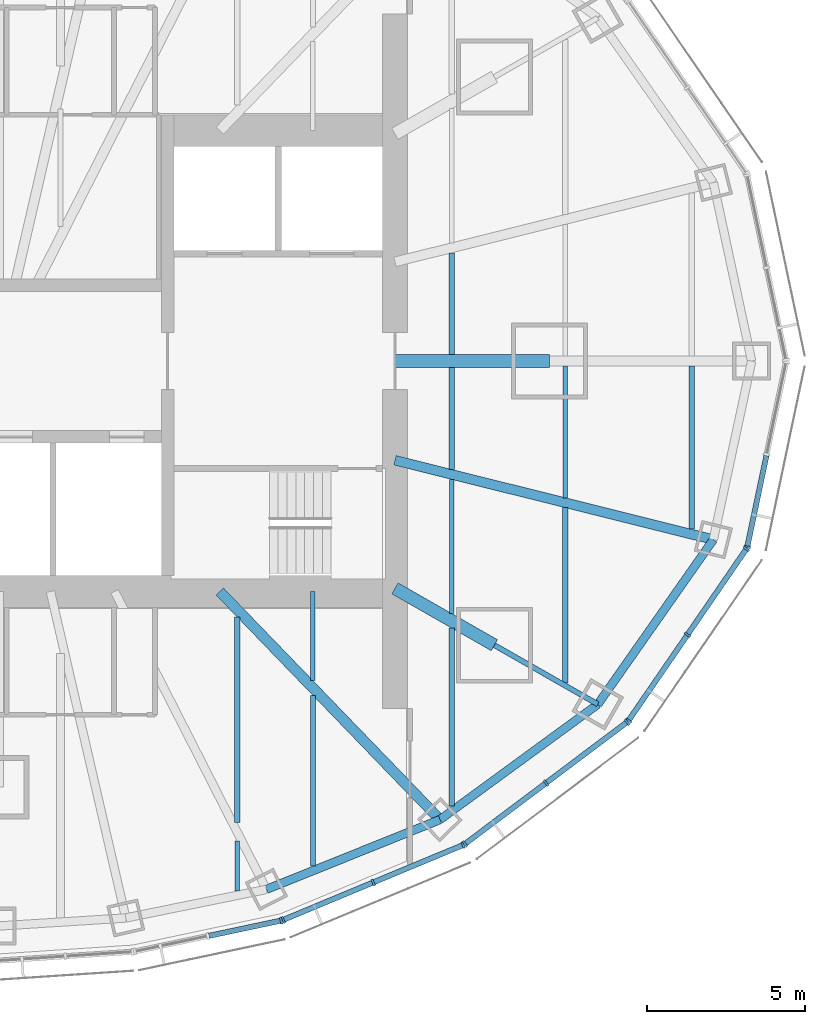
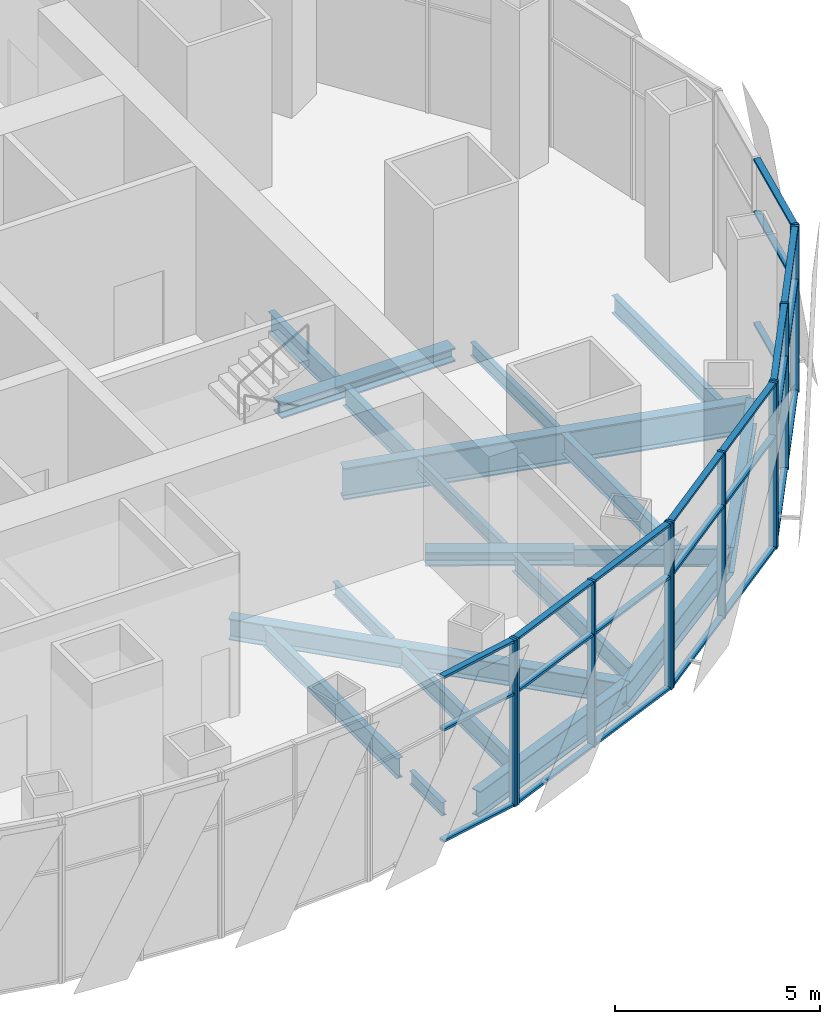
# One storey, part 5 of 17: 35 members, 19 beams, 5 elements without a shape of their own.
"""IFC4 building model written with IfcOpenShell, lengths in metres."""

import ifcopenshell
import ifcopenshell.guid

model = None  # the IFC model being written
_history = None  # IfcOwnerHistory: only IFC2X3 demands one
_inside = {}  # id of a spatial element -> (the spatial element, [elements in it])
_under = {}  # id of a project, library or spatial element -> (it, [spatial elements below it])
_declared = {}  # id of a project -> (the project, [libraries it declares])
_typed = {}  # id of a type object -> (the type object, [elements of that type])
_made_of = {}  # id of a material, layer set ... -> (it, [elements and type objects made of it])


def new_model(schema):
    """Start an empty IFC model of exactly this schema.

    Asked for "IFC4X3", IfcOpenShell would pick the latest addendum, in which some entities
    have other attributes; the version numbers below select the first issue.
    IFC2X3 requires an IfcOwnerHistory on every rooted entity: one is made here for all.
    """
    global model, _history
    if schema == "IFC4X3":
        model = ifcopenshell.file(schema_version=(4, 3, 0, 0))
    else:
        model = ifcopenshell.file(schema=schema)
    _inside.clear()
    _under.clear()
    _declared.clear()
    _typed.clear()
    _made_of.clear()
    _history = None
    if model.schema == "IFC2X3":
        org = make("IfcOrganization", Name="unknown")
        user = make(
            "IfcPersonAndOrganization",
            ThePerson=make("IfcPerson", FamilyName="unknown"),
            TheOrganization=org,
        )
        app = make(
            "IfcApplication",
            ApplicationDeveloper=org,
            Version="unknown",
            ApplicationFullName="unknown",
            ApplicationIdentifier="unknown",
        )
        _history = make(
            "IfcOwnerHistory",
            OwningUser=user,
            OwningApplication=app,
            ChangeAction="ADDED",
            CreationDate=0,
        )
    return model


def make(cls, **values):
    """One entity of the class cls with the attributes given. An attribute that is None is left unset."""
    return model.create_entity(
        cls, **{name: value for name, value in values.items() if value is not None}
    )


def rooted(cls, **values):
    """An entity with a GlobalId (a new one), such as an element, a storey or a relation."""
    return make(cls, GlobalId=ifcopenshell.guid.new(), OwnerHistory=_history, **values)


def si_unit(unit_type, name, prefix=None):
    """IfcSIUnit, for example si_unit("LENGTHUNIT", "METRE", prefix="MILLI")."""
    return make("IfcSIUnit", UnitType=unit_type, Prefix=prefix, Name=name)


def assignment(units):
    """IfcUnitAssignment: the units of a project."""
    return None if units is None else make("IfcUnitAssignment", Units=units)


def point(xyz):
    """IfcCartesianPoint."""
    return None if xyz is None else make("IfcCartesianPoint", Coordinates=xyz)


def direction(xyz):
    """IfcDirection."""
    return None if xyz is None else make("IfcDirection", DirectionRatios=xyz)


def frame(location, z_axis=None, x_axis=None):
    """IfcAxis2Placement3D, a coordinate frame: its origin and axes. An axis left out is left unset."""
    return make(
        "IfcAxis2Placement3D",
        Location=point(location),
        Axis=direction(z_axis),
        RefDirection=direction(x_axis),
    )


def frame_2d(location, x_axis=None):
    """IfcAxis2Placement2D, a coordinate frame in the plane: its origin and x axis."""
    return make(
        "IfcAxis2Placement2D", Location=point(location), RefDirection=direction(x_axis)
    )


def origin():
    """The frame at (0, 0, 0) with its axes left unset."""
    return frame((0.0, 0.0, 0.0))


def origin_2d():
    """The frame at (0, 0) in the plane with its x axis left unset."""
    return frame_2d((0.0, 0.0))


def place(relative_to, where):
    """IfcLocalPlacement: puts the frame where relative to a parent placement (None: the world)."""
    return make(
        "IfcLocalPlacement", PlacementRelTo=relative_to, RelativePlacement=where
    )


def context(
    kind, dimensions, precision=None, world=None, true_north=None, identifier=None
):
    """IfcGeometricRepresentationContext, for example the 3D "Model" context."""
    return make(
        "IfcGeometricRepresentationContext",
        ContextIdentifier=identifier,
        ContextType=kind,
        CoordinateSpaceDimension=dimensions,
        Precision=precision,
        WorldCoordinateSystem=world,
        TrueNorth=true_north,
    )


def subcontext(parent, identifier, kind, view, scale=None):
    """IfcGeometricRepresentationSubContext, for example "Body" below "Model"."""
    return make(
        "IfcGeometricRepresentationSubContext",
        ContextIdentifier=identifier,
        ContextType=kind,
        ParentContext=parent,
        TargetScale=scale,
        TargetView=view,
    )


def project(units=None, contexts=None):
    """IfcProject with its units and contexts."""
    return rooted(
        "IfcProject",
        Name="project",
        RepresentationContexts=contexts,
        UnitsInContext=assignment(units),
    )


def spatial(cls, under=None, at=None, **own):
    """A site, building, storey or space (cls), placed at a placement, below another one or the project."""
    s = rooted(cls, ObjectPlacement=at, **own)
    if under is not None:
        _under.setdefault(under.id(), (under, []))[1].append(s)
    return s


def profile(cls, at=None, kind="AREA", **sizes):
    """A parametric profile (cls). Its sizes go by their IFC names, for example OverallWidth=200.0."""
    return make(cls, ProfileType=kind, Position=at, **sizes)


def rectangle(**sizes):
    """IfcRectangleProfileDef."""
    return profile("IfcRectangleProfileDef", **sizes)


def i_section(**sizes):
    """IfcIShapeProfileDef."""
    return profile("IfcIShapeProfileDef", **sizes)


def extrude(swept, where, along, depth):
    """IfcExtrudedAreaSolid: the profile swept, set in the frame where, extruded along a direction by depth."""
    return make(
        "IfcExtrudedAreaSolid",
        SweptArea=swept,
        Position=where,
        ExtrudedDirection=direction(along),
        Depth=depth,
    )


def shape(context_of_items, identifier, shape_type, items):
    """IfcShapeRepresentation: the items that make up one representation, for example the "Body"."""
    return make(
        "IfcShapeRepresentation",
        ContextOfItems=context_of_items,
        RepresentationIdentifier=identifier,
        RepresentationType=shape_type,
        Items=items,
    )


def material(Name=None, Category=None):
    """IfcMaterial."""
    return make("IfcMaterial", Name=Name, Category=Category)


def material_profile(
    of_material, cross_section, Name=None, Category=None, Priority=None
):
    """IfcMaterialProfile: a cross section and its material."""
    return make(
        "IfcMaterialProfile",
        Name=Name,
        Material=of_material,
        Profile=cross_section,
        Priority=Priority,
        Category=Category,
    )


def profile_set(profiles, Name=None, composite=None):
    """IfcMaterialProfileSet."""
    return make(
        "IfcMaterialProfileSet",
        Name=Name,
        MaterialProfiles=profiles,
        CompositeProfile=composite,
    )


def made_of(thing, what):
    """Note that an element or type object is made of a material, layer set ...; save() writes the relation."""
    if what is not None:
        _made_of.setdefault(what.id(), (what, []))[1].append(thing)
    return thing


def type_object(cls, material=None, **own):
    """A type object (cls), such as IfcWallType, which elements share."""
    return made_of(rooted(cls, **own), material)


def element(
    cls,
    number,
    at=None,
    inside=None,
    cuts=None,
    type_object=None,
    material=None,
    context=None,
    identifier="Body",
    shape_type=None,
    held_by="IfcProductDefinitionShape",
    body=None,
    shapes=None,
    **own,
):
    """One element of the class cls, such as IfcWall. Its Tag is "e" and its number.

    at: its placement. inside: the storey or other place that contains it. cuts: it is an
    opening in that element (IfcRelVoidsElement). A single representation is given by context,
    identifier, shape_type and body (its items); several are given by shapes. held_by: the class
    of the entity that holds the representations. save() writes the other relations.
    """
    e = rooted(cls, Tag="e%d" % number, ObjectPlacement=at, **own)
    if body is not None:
        shapes = [shape(context, identifier, shape_type, body)]
    if shapes is not None:
        e.Representation = make(held_by, Representations=shapes)
    if inside is not None:
        _inside.setdefault(inside.id(), (inside, []))[1].append(e)
    if cuts is not None:
        rooted(
            "IfcRelVoidsElement", RelatingBuildingElement=cuts, RelatedOpeningElement=e
        )
    if type_object is not None:
        _typed.setdefault(type_object.id(), (type_object, []))[1].append(e)
    return made_of(e, material)


def aggregate(whole, parts):
    """IfcRelAggregates: a whole, such as a stair, and the parts it consists of."""
    return rooted("IfcRelAggregates", RelatingObject=whole, RelatedObjects=parts)


def save(model, path):
    """Write the relations noted so far, then the file.

    IfcRelAggregates (storeys below a building ...), IfcRelContainedInSpatialStructure (elements
    in a storey), IfcRelDefinesByType, IfcRelAssociatesMaterial and IfcRelDeclares: one each for
    every whole, place, type object, material and project.
    """
    for whole, parts in _under.values():
        aggregate(whole, parts)
    for where, things in _inside.values():
        rooted(
            "IfcRelContainedInSpatialStructure",
            RelatedElements=things,
            RelatingStructure=where,
        )
    for kind, things in _typed.values():
        rooted("IfcRelDefinesByType", RelatedObjects=things, RelatingType=kind)
    for what, things in _made_of.values():
        rooted("IfcRelAssociatesMaterial", RelatedObjects=things, RelatingMaterial=what)
    for by, libraries in _declared.values():
        rooted("IfcRelDeclares", RelatingContext=by, RelatedDefinitions=libraries)
    model.write(path)


model = new_model("IFC4")

# Units and contexts
model_context = context("Model", 3, precision=1e-05, world=origin(), true_north=direction((0.0, 1.0)))
body_context = subcontext(model_context, "Body", "Model", "MODEL_VIEW")
ifc_project = project(units=[si_unit("LENGTHUNIT", "METRE"), si_unit("AREAUNIT", "SQUARE_METRE"), si_unit("VOLUMEUNIT", "CUBIC_METRE"), si_unit("PLANEANGLEUNIT", "RADIAN"), si_unit("MASSUNIT", "GRAM", prefix="KILO")], contexts=[model_context])

# Site, building, storey
site_placement = place(None, origin())
site = spatial("IfcSite", under=ifc_project, at=site_placement, CompositionType="ELEMENT")
building_placement = place(site_placement, origin())
building = spatial("IfcBuilding", under=site, at=building_placement, Name="Lantaw Convention Tower", CompositionType="ELEMENT")
storey_placement = place(building_placement, frame((0.0, 0.0, 279.39990234375)))
storey = spatial("IfcBuildingStorey", under=building, at=storey_placement, Name="L65", CompositionType="ELEMENT", Elevation=279.39990234375)

# Beams
ifc_material_1 = material(Name="Steel ASTM A992", Category="steel")
ifc_material_profile_1 = material_profile(ifc_material_1, i_section(OverallWidth=0.2666015625, OverallDepth=0.76953125, WebThickness=0.015625, FlangeThickness=0.025390625, FilletRadius=0.0126953125, at=origin_2d()), Name="W30X132")
ifc_profile_set_1 = profile_set([ifc_material_profile_1], Name="Steel ASTM A992")
beam_type_1 = type_object("IfcBeamType", Name="Beam E W30X132", PredefinedType="SPANDREL", material=ifc_profile_set_1)
beam_1_placement = place(storey_placement, frame((8.5283203125, -16.73779296875, -0.53466796875), z_axis=(0.927779110974, 0.373129898615, 0.0), x_axis=(-0.373129898615, 0.927779110974, 0.0)))
element("IfcBeam", 1, at=beam_1_placement, inside=storey, type_object=beam_type_1, Name="Edge beam 21", PredefinedType="SPANDREL", context=body_context, shape_type="SweptSolid", body=[
    extrude(i_section(OverallWidth=0.2666015625, OverallDepth=0.76953125, WebThickness=0.015625, FlangeThickness=0.025390625, FilletRadius=0.0126953125, at=origin_2d()), origin(), (0.0, 0.0, 1.0), 5.92724609375),
])
beam_2_placement = place(storey_placement, frame((14.027587890625, -14.526123046875, -0.53466796875), z_axis=(0.807371616826, 0.59004328006, 0.0), x_axis=(-0.59004328006, 0.807371616826, 0.0)))
element("IfcBeam", 2, at=beam_2_placement, inside=storey, type_object=beam_type_1, Name="Edge beam 22", PredefinedType="SPANDREL", context=body_context, shape_type="SweptSolid", body=[
    extrude(i_section(OverallWidth=0.2666015625, OverallDepth=0.76953125, WebThickness=0.015625, FlangeThickness=0.025390625, FilletRadius=0.0126953125, at=origin_2d()), origin(), (0.0, 0.0, 1.0), 6.192138671875),
])
beam_3_placement = place(storey_placement, frame((19.02685546875, -10.87255859375, -0.53466796875), z_axis=(0.574400527612, 0.81857439117, 0.0), x_axis=(-0.81857439117, 0.574400527612, 0.0)))
element("IfcBeam", 3, at=beam_3_placement, inside=storey, type_object=beam_type_1, Name="Edge beam 23", PredefinedType="SPANDREL", context=body_context, shape_type="SweptSolid", body=[
    extrude(i_section(OverallWidth=0.2666015625, OverallDepth=0.76953125, WebThickness=0.015625, FlangeThickness=0.025390625, FilletRadius=0.0126953125, at=origin_2d()), origin(), (0.0, 0.0, 1.0), 6.3720703125),
])
ifc_material_profile_2 = material_profile(ifc_material_1, i_section(OverallWidth=0.1650390625, OverallDepth=0.52587890625, WebThickness=0.0087890625, FlangeThickness=0.011474609375, FilletRadius=0.0126953125, at=origin_2d()), Name="W21X44")
ifc_profile_set_2 = profile_set([ifc_material_profile_2], Name="Steel ASTM A992")
beam_type_2 = type_object("IfcBeamType", Name="Beam G W21X44", PredefinedType="BEAM", material=ifc_profile_set_2)
beam_4_placement = place(storey_placement, frame((15.75, -9.0, -0.412841796875), z_axis=(0.868235180478, -0.496152870978, 0.0), x_axis=(0.496152870978, 0.868235180478, 0.0)))
element("IfcBeam", 4, at=beam_4_placement, inside=storey, type_object=beam_type_2, Name="Floor girder on ray 23", PredefinedType="BEAM", context=body_context, shape_type="SweptSolid", body=[
    extrude(i_section(OverallWidth=0.1650390625, OverallDepth=0.52587890625, WebThickness=0.0087890625, FlangeThickness=0.011474609375, FilletRadius=0.0126953125, at=origin_2d()), origin(), (0.0, 0.0, 1.0), 3.774169921875),
])
ifc_material_profile_3 = material_profile(ifc_material_1, i_section(OverallWidth=0.32763671875, OverallDepth=0.62744140625, WebThickness=0.0166015625, FlangeThickness=0.027587890625, FilletRadius=0.0126953125, at=origin_2d()), Name="W24X146")
ifc_profile_set_3 = profile_set([ifc_material_profile_3], Name="Steel ASTM A992")
beam_type_3 = type_object("IfcBeamType", Name="Beam G W24X146", PredefinedType="BEAM", material=ifc_profile_set_3)
beam_5_placement = place(storey_placement, frame((7.049560546875, -7.300048828125, -0.463623046875), z_axis=(0.694652631285, -0.71934534255, 0.0), x_axis=(0.71934534255, 0.694652631285, 0.0)))
element("IfcBeam", 5, at=beam_5_placement, inside=storey, type_object=beam_type_3, Name="Floor girder on ray 22", PredefinedType="BEAM", context=body_context, shape_type="SweptSolid", body=[
    extrude(i_section(OverallWidth=0.32763671875, OverallDepth=0.62744140625, WebThickness=0.0166015625, FlangeThickness=0.027587890625, FilletRadius=0.0126953125, at=origin_2d()), origin(), (0.0, 0.0, 1.0), 10.04541015625),
])
ifc_material_profile_4 = material_profile(ifc_material_1, i_section(OverallWidth=0.307373046875, OverallDepth=0.9423828125, WebThickness=0.022216796875, FlangeThickness=0.039794921875, FilletRadius=0.0126953125, at=origin_2d()), Name="W36X232")
ifc_profile_set_4 = profile_set([ifc_material_profile_4], Name="Steel ASTM A992")
beam_type_4 = type_object("IfcBeamType", Name="Beam G W36X232", PredefinedType="BEAM", material=ifc_profile_set_4)
beam_6_placement = place(storey_placement, frame((12.60009765625, -3.1416015625, -0.62109375), z_axis=(0.97029702597, -0.241916682751, 0.0), x_axis=(0.241916682751, 0.97029702597, 0.0)))
element("IfcBeam", 6, at=beam_6_placement, inside=storey, type_object=beam_type_4, Name="Floor girder on ray 24", PredefinedType="BEAM", context=body_context, shape_type="SweptSolid", body=[
    extrude(i_section(OverallWidth=0.307373046875, OverallDepth=0.9423828125, WebThickness=0.022216796875, FlangeThickness=0.039794921875, FilletRadius=0.0126953125, at=origin_2d()), origin(), (0.0, 0.0, 1.0), 10.395751953125),
])
ifc_material_profile_5 = material_profile(ifc_material_1, i_section(OverallWidth=0.40380859375, OverallDepth=0.406494140625, WebThickness=0.027099609375, FlangeThickness=0.043701171875, FilletRadius=0.01513671875, at=origin_2d()), Name="W14X233")
ifc_profile_set_5 = profile_set([ifc_material_profile_5], Name="Steel ASTM A992")
beam_type_5 = type_object("IfcBeamType", Name="Beam GM W14X233", PredefinedType="BEAM", material=ifc_profile_set_5)
beam_7_placement = place(storey_placement, frame((12.60009765625, 0.0, -0.35302734375), z_axis=(1.0, 0.0, 0.0), x_axis=(0.0, 1.0, 0.0)))
element("IfcBeam", 7, at=beam_7_placement, inside=storey, type_object=beam_type_5, Name="Core link beam on ray 1", PredefinedType="BEAM", context=body_context, shape_type="SweptSolid", body=[
    extrude(i_section(OverallWidth=0.40380859375, OverallDepth=0.406494140625, WebThickness=0.027099609375, FlangeThickness=0.043701171875, FilletRadius=0.01513671875, at=origin_2d()), origin(), (0.0, 0.0, 1.0), 4.89990234375),
])
beam_8_placement = place(storey_placement, frame((12.60009765625, -7.199951171875, -0.35302734375), z_axis=(0.868230718294, -0.496160679428, 0.0), x_axis=(0.496160679428, 0.868230718294, 0.0)))
element("IfcBeam", 8, at=beam_8_placement, inside=storey, type_object=beam_type_5, Name="Core link beam on ray 23", PredefinedType="BEAM", context=body_context, shape_type="SweptSolid", body=[
    extrude(i_section(OverallWidth=0.40380859375, OverallDepth=0.406494140625, WebThickness=0.027099609375, FlangeThickness=0.043701171875, FilletRadius=0.01513671875, at=origin_2d()), origin(), (0.0, 0.0, 1.0), 3.6279296875),
])
ifc_material_profile_6 = material_profile(ifc_material_1, i_section(OverallWidth=0.140380859375, OverallDepth=0.40380859375, WebThickness=0.007080078125, FlangeThickness=0.01123046875, FilletRadius=0.01025390625, at=origin_2d()), Name="W16X31")
ifc_profile_set_6 = profile_set([ifc_material_profile_6], Name="Steel ASTM A992")
beam_type_6 = type_object("IfcBeamType", Name="Beam J W16X31", PredefinedType="JOIST", material=ifc_profile_set_6)
beam_9_placement = place(storey_placement, frame((7.60009765625, -16.790283203125, -0.351806640625), z_axis=(0.0, 1.0, 0.0), x_axis=(-1.0, 0.0, 0.0)))
element("IfcBeam", 9, at=beam_9_placement, inside=storey, type_object=beam_type_6, Name="Floor joist", PredefinedType="JOIST", context=body_context, shape_type="SweptSolid", body=[
    extrude(i_section(OverallWidth=0.140380859375, OverallDepth=0.40380859375, WebThickness=0.007080078125, FlangeThickness=0.01123046875, FilletRadius=0.01025390625, at=origin_2d()), origin(), (0.0, 0.0, 1.0), 1.580810546875),
])
beam_10_placement = place(storey_placement, frame((10.0, -10.119384765625, -0.351806640625), z_axis=(0.0, 1.0, 0.0), x_axis=(-1.0, 0.0, 0.0)))
element("IfcBeam", 10, at=beam_10_placement, inside=storey, type_object=beam_type_6, Name="Floor joist", PredefinedType="JOIST", context=body_context, shape_type="SweptSolid", body=[
    extrude(i_section(OverallWidth=0.140380859375, OverallDepth=0.40380859375, WebThickness=0.007080078125, FlangeThickness=0.01123046875, FilletRadius=0.01025390625, at=origin_2d()), origin(), (0.0, 0.0, 1.0), 2.8193359375),
])
beam_11_placement = place(storey_placement, frame((14.39990234375, -7.99609375, -0.351806640625), z_axis=(0.0, 1.0, 0.0), x_axis=(-1.0, 0.0, 0.0)))
element("IfcBeam", 11, at=beam_11_placement, inside=storey, type_object=beam_type_6, Name="Floor joist", PredefinedType="JOIST", context=body_context, shape_type="SweptSolid", body=[
    extrude(i_section(OverallWidth=0.140380859375, OverallDepth=0.40380859375, WebThickness=0.007080078125, FlangeThickness=0.01123046875, FilletRadius=0.01025390625, at=origin_2d()), origin(), (0.0, 0.0, 1.0), 4.247314453125),
])
beam_12_placement = place(storey_placement, frame((18.0, -4.32958984375, -0.351806640625), z_axis=(0.0, 1.0, 0.0), x_axis=(-1.0, 0.0, 0.0)))
element("IfcBeam", 12, at=beam_12_placement, inside=storey, type_object=beam_type_6, Name="Floor joist", PredefinedType="JOIST", context=body_context, shape_type="SweptSolid", body=[
    extrude(i_section(OverallWidth=0.140380859375, OverallDepth=0.40380859375, WebThickness=0.007080078125, FlangeThickness=0.01123046875, FilletRadius=0.01025390625, at=origin_2d()), origin(), (0.0, 0.0, 1.0), 4.1669921875),
])
ifc_material_profile_7 = material_profile(ifc_material_1, i_section(OverallWidth=0.1650390625, OverallDepth=0.52587890625, WebThickness=0.0087890625, FlangeThickness=0.011474609375, FilletRadius=0.0126953125, at=origin_2d()), Name="W21X44")
ifc_profile_set_7 = profile_set([ifc_material_profile_7], Name="Steel ASTM A992")
beam_type_7 = type_object("IfcBeamType", Name="Beam J W21X44", PredefinedType="JOIST", material=ifc_profile_set_7)
beam_13_placement = place(storey_placement, frame((10.0, -16.002197265625, -0.412841796875), z_axis=(0.0, 1.0, 0.0), x_axis=(-1.0, 0.0, 0.0)))
element("IfcBeam", 13, at=beam_13_placement, inside=storey, type_object=beam_type_7, Name="Floor joist", PredefinedType="JOIST", context=body_context, shape_type="SweptSolid", body=[
    extrude(i_section(OverallWidth=0.1650390625, OverallDepth=0.52587890625, WebThickness=0.0087890625, FlangeThickness=0.011474609375, FilletRadius=0.0126953125, at=origin_2d()), origin(), (0.0, 0.0, 1.0), 5.4111328125),
])
beam_14_placement = place(storey_placement, frame((14.39990234375, -14.0888671875, -0.412841796875), z_axis=(0.0, 1.0, 0.0), x_axis=(-1.0, 0.0, 0.0)))
element("IfcBeam", 14, at=beam_14_placement, inside=storey, type_object=beam_type_7, Name="Floor joist", PredefinedType="JOIST", context=body_context, shape_type="SweptSolid", body=[
    extrude(i_section(OverallWidth=0.1650390625, OverallDepth=0.52587890625, WebThickness=0.0087890625, FlangeThickness=0.011474609375, FilletRadius=0.0126953125, at=origin_2d()), origin(), (0.0, 0.0, 1.0), 5.627685546875),
])
beam_15_placement = place(storey_placement, frame((22.0, -5.326904296875, -0.412841796875), z_axis=(0.0, 1.0, 0.0), x_axis=(-1.0, 0.0, 0.0)))
element("IfcBeam", 15, at=beam_15_placement, inside=storey, type_object=beam_type_7, Name="Floor joist", PredefinedType="JOIST", context=body_context, shape_type="SweptSolid", body=[
    extrude(i_section(OverallWidth=0.1650390625, OverallDepth=0.52587890625, WebThickness=0.0087890625, FlangeThickness=0.011474609375, FilletRadius=0.0126953125, at=origin_2d()), origin(), (0.0, 0.0, 1.0), 5.164306640625),
])
ifc_material_profile_8 = material_profile(ifc_material_1, i_section(OverallWidth=0.177978515625, OverallDepth=0.599365234375, WebThickness=0.010009765625, FlangeThickness=0.012939453125, FilletRadius=0.012939453125, at=origin_2d()), Name="W24X55")
ifc_profile_set_8 = profile_set([ifc_material_profile_8], Name="Steel ASTM A992")
beam_type_8 = type_object("IfcBeamType", Name="Beam J W24X55", PredefinedType="JOIST", material=ifc_profile_set_8)
beam_16_placement = place(storey_placement, frame((7.60009765625, -14.6220703125, -0.44970703125), z_axis=(0.0, 1.0, 0.0), x_axis=(-1.0, 0.0, 0.0)))
element("IfcBeam", 16, at=beam_16_placement, inside=storey, type_object=beam_type_8, Name="Floor joist", PredefinedType="JOIST", context=body_context, shape_type="SweptSolid", body=[
    extrude(i_section(OverallWidth=0.177978515625, OverallDepth=0.599365234375, WebThickness=0.010009765625, FlangeThickness=0.012939453125, FilletRadius=0.012939453125, at=origin_2d()), origin(), (0.0, 0.0, 1.0), 6.51611328125),
])
for number, where, z_axis, x_axis, name in (
    (17, (14.39990234375, -3.431884765625, -0.44970703125), (0.0, 1.0, 0.0), (-1.0, 0.0, 0.0), "Floor joist"),
    (18, (14.39990234375, 0.201904296875, -0.44970703125), (0.0, 1.0, 0.0), (-1.0, 0.0, 0.0), "Floor joist"),
):
    element("IfcBeam", number, at=place(storey_placement, frame(where, z_axis=z_axis, x_axis=x_axis)), inside=storey, type_object=beam_type_8, Name=name, PredefinedType="JOIST", context=body_context, shape_type="SweptSolid", body=[
        extrude(i_section(OverallWidth=0.177978515625, OverallDepth=0.599365234375, WebThickness=0.010009765625, FlangeThickness=0.012939453125, FilletRadius=0.012939453125, at=origin_2d()), origin(), (0.0, 0.0, 1.0), 3.22998046875),
    ])
beam_17_placement = place(storey_placement, frame((18.0, -10.190673828125, -0.44970703125), z_axis=(0.0, 1.0, 0.0), x_axis=(-1.0, 0.0, 0.0)))
element("IfcBeam", 19, at=beam_17_placement, inside=storey, type_object=beam_type_8, Name="Floor joist", PredefinedType="JOIST", context=body_context, shape_type="SweptSolid", body=[
    extrude(i_section(OverallWidth=0.177978515625, OverallDepth=0.599365234375, WebThickness=0.010009765625, FlangeThickness=0.012939453125, FilletRadius=0.012939453125, at=origin_2d()), origin(), (0.0, 0.0, 1.0), 5.54443359375),
])

# Curtain wall, member
ifc_material_2 = material(Name="Aluminium framed curtain wall", Category="aluminium")
curtain_wall_type = type_object("IfcCurtainWallType", Name="Executive floors curtain wall, pale aluminium", PredefinedType="USERDEFINED", material=ifc_material_2)
curtain_wall_1_placement = place(storey_placement, origin())
curtain_wall_1 = element("IfcCurtainWall", 20, at=curtain_wall_1_placement, inside=storey, type_object=curtain_wall_type, Name="Executive floors curtain wall, pale aluminium L65", ObjectType="UNITISED CURTAIN WALL", PredefinedType="USERDEFINED")
ifc_material_3 = material(Name="Aluminium 6063-T6", Category="aluminium")
ifc_material_profile_9 = material_profile(ifc_material_3, rectangle(XDim=0.219970703125, YDim=0.070068359375, at=origin_2d()), Name="CW-T mullion 70x220")
ifc_profile_set_9 = profile_set([ifc_material_profile_9], Name="Aluminium 6063-T6")
member_type_1 = type_object("IfcMemberType", Name="CW-T mullion 70x220", PredefinedType="MULLION", material=ifc_profile_set_9)
member_1_placement = place(storey_placement, frame((8.993408203125, -17.72509765625, -0.14990234375), z_axis=(0.0, 0.0, 1.0), x_axis=(-0.207039911975, 0.978332497083, 0.0)))
member_1 = element("IfcMember", 21, at=member_1_placement, type_object=member_type_1, Name="CW-T mullion 3", PredefinedType="MULLION", context=body_context, shape_type="SweptSolid", body=[
    extrude(rectangle(XDim=0.219970703125, YDim=0.070068359375, at=origin_2d()), origin(), (0.0, 0.0, 1.0), 4.949951171875),
])

# Curtain wall, members
curtain_wall_2_placement = place(storey_placement, origin())
curtain_wall_2 = element("IfcCurtainWall", 22, at=curtain_wall_2_placement, inside=storey, type_object=curtain_wall_type, Name="Executive floors curtain wall, pale aluminium L65", ObjectType="UNITISED CURTAIN WALL", PredefinedType="USERDEFINED")
member_2_placement = place(storey_placement, frame((9.06005859375, -17.70458984375, -0.14990234375), z_axis=(0.0, 0.0, 1.0), x_axis=(-0.384459697924, 0.923141777124, 0.0)))
member_2 = element("IfcMember", 23, at=member_2_placement, type_object=member_type_1, Name="CW-T mullion 1", PredefinedType="MULLION", context=body_context, shape_type="SweptSolid", body=[
    extrude(rectangle(XDim=0.219970703125, YDim=0.070068359375, at=origin_2d()), origin(), (0.0, 0.0, 1.0), 4.949951171875),
])
member_3_placement = place(storey_placement, frame((11.90966796875, -16.517578125, -0.14990234375), z_axis=(0.0, 0.0, 1.0), x_axis=(-0.384459697924, 0.923141777124, 0.0)))
member_3 = element("IfcMember", 24, at=member_3_placement, type_object=member_type_1, Name="CW-T mullion 2", PredefinedType="MULLION", context=body_context, shape_type="SweptSolid", body=[
    extrude(rectangle(XDim=0.219970703125, YDim=0.070068359375, at=origin_2d()), origin(), (0.0, 0.0, 1.0), 4.949951171875),
])
member_4_placement = place(storey_placement, frame((14.759521484375, -15.330810546875, -0.14990234375), z_axis=(0.0, 0.0, 1.0), x_axis=(-0.384459697924, 0.923141777124, 0.0)))
member_4 = element("IfcMember", 25, at=member_4_placement, type_object=member_type_1, Name="CW-T mullion 3", PredefinedType="MULLION", context=body_context, shape_type="SweptSolid", body=[
    extrude(rectangle(XDim=0.219970703125, YDim=0.070068359375, at=origin_2d()), origin(), (0.0, 0.0, 1.0), 4.949951171875),
])

curtain_wall_3_placement = place(storey_placement, origin())
curtain_wall_3 = element("IfcCurtainWall", 26, at=curtain_wall_3_placement, inside=storey, type_object=curtain_wall_type, Name="Executive floors curtain wall, pale aluminium L65", ObjectType="UNITISED CURTAIN WALL", PredefinedType="USERDEFINED")
member_5_placement = place(storey_placement, frame((14.81982421875, -15.29638671875, -0.14990234375), z_axis=(0.0, 0.0, 1.0), x_axis=(-0.600642756762, 0.799517528732, 0.0)))
member_5 = element("IfcMember", 27, at=member_5_placement, type_object=member_type_1, Name="CW-T mullion 1", PredefinedType="MULLION", context=body_context, shape_type="SweptSolid", body=[
    extrude(rectangle(XDim=0.219970703125, YDim=0.070068359375, at=origin_2d()), origin(), (0.0, 0.0, 1.0), 4.949951171875),
])
member_6_placement = place(storey_placement, frame((17.386962890625, -13.367919921875, -0.14990234375), z_axis=(0.0, 0.0, 1.0), x_axis=(-0.600642756762, 0.799517528732, 0.0)))
member_6 = element("IfcMember", 28, at=member_6_placement, type_object=member_type_1, Name="CW-T mullion 2", PredefinedType="MULLION", context=body_context, shape_type="SweptSolid", body=[
    extrude(rectangle(XDim=0.219970703125, YDim=0.070068359375, at=origin_2d()), origin(), (0.0, 0.0, 1.0), 4.949951171875),
])
member_7_placement = place(storey_placement, frame((19.953857421875, -11.439208984375, -0.14990234375), z_axis=(0.0, 0.0, 1.0), x_axis=(-0.600642756762, 0.799517528732, 0.0)))
member_7 = element("IfcMember", 29, at=member_7_placement, type_object=member_type_1, Name="CW-T mullion 3", PredefinedType="MULLION", context=body_context, shape_type="SweptSolid", body=[
    extrude(rectangle(XDim=0.219970703125, YDim=0.070068359375, at=origin_2d()), origin(), (0.0, 0.0, 1.0), 4.949951171875),
])

curtain_wall_4_placement = place(storey_placement, origin())
curtain_wall_4 = element("IfcCurtainWall", 30, at=curtain_wall_4_placement, inside=storey, type_object=curtain_wall_type, Name="Executive floors curtain wall, pale aluminium L65", ObjectType="UNITISED CURTAIN WALL", PredefinedType="USERDEFINED")
member_8_placement = place(storey_placement, frame((20.001708984375, -11.389404296875, -0.14990234375), z_axis=(0.0, 0.0, 1.0), x_axis=(-0.824449977189, 0.565934832921, 0.0)))
member_8 = element("IfcMember", 31, at=member_8_placement, type_object=member_type_1, Name="CW-T mullion 1", PredefinedType="MULLION", context=body_context, shape_type="SweptSolid", body=[
    extrude(rectangle(XDim=0.219970703125, YDim=0.070068359375, at=origin_2d()), origin(), (0.0, 0.0, 1.0), 4.949951171875),
])
member_9_placement = place(storey_placement, frame((21.8681640625, -8.67041015625, -0.14990234375), z_axis=(0.0, 0.0, 1.0), x_axis=(-0.824449977189, 0.565934832921, 0.0)))
member_9 = element("IfcMember", 32, at=member_9_placement, type_object=member_type_1, Name="CW-T mullion 2", PredefinedType="MULLION", context=body_context, shape_type="SweptSolid", body=[
    extrude(rectangle(XDim=0.219970703125, YDim=0.070068359375, at=origin_2d()), origin(), (0.0, 0.0, 1.0), 4.949951171875),
])
member_10_placement = place(storey_placement, frame((23.734619140625, -5.951416015625, -0.14990234375), z_axis=(0.0, 0.0, 1.0), x_axis=(-0.824449977189, 0.565934832921, 0.0)))
member_10 = element("IfcMember", 33, at=member_10_placement, type_object=member_type_1, Name="CW-T mullion 3", PredefinedType="MULLION", context=body_context, shape_type="SweptSolid", body=[
    extrude(rectangle(XDim=0.219970703125, YDim=0.070068359375, at=origin_2d()), origin(), (0.0, 0.0, 1.0), 4.949951171875),
])

# Curtain wall, member
curtain_wall_5_placement = place(storey_placement, origin())
curtain_wall_5 = element("IfcCurtainWall", 34, at=curtain_wall_5_placement, inside=storey, type_object=curtain_wall_type, Name="Executive floors curtain wall, pale aluminium L65", ObjectType="UNITISED CURTAIN WALL", PredefinedType="USERDEFINED")
member_11_placement = place(storey_placement, frame((23.761474609375, -5.888427734375, -0.14990234375), z_axis=(0.0, 0.0, 1.0), x_axis=(-0.978591117263, 0.205814054946, 0.0)))
member_11 = element("IfcMember", 35, at=member_11_placement, type_object=member_type_1, Name="CW-T mullion 1", PredefinedType="MULLION", context=body_context, shape_type="SweptSolid", body=[
    extrude(rectangle(XDim=0.219970703125, YDim=0.070068359375, at=origin_2d()), origin(), (0.0, 0.0, 1.0), 4.949951171875),
])

# Member
ifc_material_profile_10 = material_profile(ifc_material_3, rectangle(XDim=0.169921875, YDim=0.070068359375, at=origin_2d()), Name="CW-T transom 70x170")
ifc_profile_set_10 = profile_set([ifc_material_profile_10], Name="Aluminium 6063-T6")
member_type_2 = type_object("IfcMemberType", Name="CW-T transom 70x170", PredefinedType="USERDEFINED", material=ifc_profile_set_10)
member_12_placement = place(storey_placement, frame((6.708251953125, -18.208740234375, -0.114990234375), z_axis=(0.978336479598, 0.207021092375, 0.0), x_axis=(-0.207021092375, 0.978336479598, 0.0)))
member_12 = element("IfcMember", 36, at=member_12_placement, type_object=member_type_2, Name="CW-T transom 2.1", ObjectType="TRANSOM", PredefinedType="USERDEFINED", context=body_context, shape_type="SweptSolid", body=[
    extrude(rectangle(XDim=0.169921875, YDim=0.070068359375, at=origin_2d()), origin(), (0.0, 0.0, 1.0), 2.30078125),
])

member_13_placement = place(storey_placement, frame((6.708251953125, -18.208740234375, 3.2001953125), z_axis=(0.978336479598, 0.207021092375, 0.0), x_axis=(-0.207021092375, 0.978336479598, 0.0)))
member_13 = element("IfcMember", 37, at=member_13_placement, type_object=member_type_2, Name="CW-T transom 2.2", ObjectType="TRANSOM", PredefinedType="USERDEFINED", context=body_context, shape_type="SweptSolid", body=[
    extrude(rectangle(XDim=0.169921875, YDim=0.070068359375, at=origin_2d()), origin(), (0.0, 0.0, 1.0), 2.30078125),
])

member_14_placement = place(storey_placement, frame((6.708251953125, -18.208740234375, 4.76513671875), z_axis=(0.978336479598, 0.207021092375, 0.0), x_axis=(-0.207021092375, 0.978336479598, 0.0)))
member_14 = element("IfcMember", 38, at=member_14_placement, type_object=member_type_2, Name="CW-T transom 2.3", ObjectType="TRANSOM", PredefinedType="USERDEFINED", context=body_context, shape_type="SweptSolid", body=[
    extrude(rectangle(XDim=0.169921875, YDim=0.070068359375, at=origin_2d()), origin(), (0.0, 0.0, 1.0), 2.30078125),
])

aggregate(curtain_wall_1, [member_1, member_12, member_13, member_14])

member_15_placement = place(storey_placement, frame((9.09228515625, -17.69091796875, -0.114990234375), z_axis=(0.923143943999, 0.384454494911, 0.0), x_axis=(-0.384454494911, 0.923143943999, 0.0)))
member_15 = element("IfcMember", 39, at=member_15_placement, type_object=member_type_2, Name="CW-T transom 1.1", ObjectType="TRANSOM", PredefinedType="USERDEFINED", context=body_context, shape_type="SweptSolid", body=[
    extrude(rectangle(XDim=0.169921875, YDim=0.070068359375, at=origin_2d()), origin(), (0.0, 0.0, 1.0), 3.01708984375),
])

member_16_placement = place(storey_placement, frame((9.09228515625, -17.69091796875, 3.2001953125), z_axis=(0.923143943999, 0.384454494911, 0.0), x_axis=(-0.384454494911, 0.923143943999, 0.0)))
member_16 = element("IfcMember", 40, at=member_16_placement, type_object=member_type_2, Name="CW-T transom 1.2", ObjectType="TRANSOM", PredefinedType="USERDEFINED", context=body_context, shape_type="SweptSolid", body=[
    extrude(rectangle(XDim=0.169921875, YDim=0.070068359375, at=origin_2d()), origin(), (0.0, 0.0, 1.0), 3.01708984375),
])

member_17_placement = place(storey_placement, frame((9.09228515625, -17.69091796875, 4.76513671875), z_axis=(0.923143943999, 0.384454494911, 0.0), x_axis=(-0.384454494911, 0.923143943999, 0.0)))
member_17 = element("IfcMember", 41, at=member_17_placement, type_object=member_type_2, Name="CW-T transom 1.3", ObjectType="TRANSOM", PredefinedType="USERDEFINED", context=body_context, shape_type="SweptSolid", body=[
    extrude(rectangle(XDim=0.169921875, YDim=0.070068359375, at=origin_2d()), origin(), (0.0, 0.0, 1.0), 3.01708984375),
])

member_18_placement = place(storey_placement, frame((11.942138671875, -16.504150390625, -0.114990234375), z_axis=(0.923143943999, 0.384454494911, 0.0), x_axis=(-0.384454494911, 0.923143943999, 0.0)))
member_18 = element("IfcMember", 42, at=member_18_placement, type_object=member_type_2, Name="CW-T transom 2.1", ObjectType="TRANSOM", PredefinedType="USERDEFINED", context=body_context, shape_type="SweptSolid", body=[
    extrude(rectangle(XDim=0.169921875, YDim=0.070068359375, at=origin_2d()), origin(), (0.0, 0.0, 1.0), 3.01708984375),
])

member_19_placement = place(storey_placement, frame((11.942138671875, -16.504150390625, 3.2001953125), z_axis=(0.923143943999, 0.384454494911, 0.0), x_axis=(-0.384454494911, 0.923143943999, 0.0)))
member_19 = element("IfcMember", 43, at=member_19_placement, type_object=member_type_2, Name="CW-T transom 2.2", ObjectType="TRANSOM", PredefinedType="USERDEFINED", context=body_context, shape_type="SweptSolid", body=[
    extrude(rectangle(XDim=0.169921875, YDim=0.070068359375, at=origin_2d()), origin(), (0.0, 0.0, 1.0), 3.01708984375),
])

member_20_placement = place(storey_placement, frame((11.942138671875, -16.504150390625, 4.76513671875), z_axis=(0.923143943999, 0.384454494911, 0.0), x_axis=(-0.384454494911, 0.923143943999, 0.0)))
member_20 = element("IfcMember", 44, at=member_20_placement, type_object=member_type_2, Name="CW-T transom 2.3", ObjectType="TRANSOM", PredefinedType="USERDEFINED", context=body_context, shape_type="SweptSolid", body=[
    extrude(rectangle(XDim=0.169921875, YDim=0.070068359375, at=origin_2d()), origin(), (0.0, 0.0, 1.0), 3.01708984375),
])

aggregate(curtain_wall_2, [member_2, member_3, member_4, member_15, member_16, member_17, member_18, member_19, member_20])

member_21_placement = place(storey_placement, frame((14.847900390625, -15.275390625, -0.114990234375), z_axis=(0.799505333284, 0.600658989819, 0.0), x_axis=(-0.600658989819, 0.799505333284, 0.0)))
member_21 = element("IfcMember", 45, at=member_21_placement, type_object=member_type_2, Name="CW-T transom 1.1", ObjectType="TRANSOM", PredefinedType="USERDEFINED", context=body_context, shape_type="SweptSolid", body=[
    extrude(rectangle(XDim=0.169921875, YDim=0.070068359375, at=origin_2d()), origin(), (0.0, 0.0, 1.0), 3.140625),
])

member_22_placement = place(storey_placement, frame((14.847900390625, -15.275390625, 3.2001953125), z_axis=(0.799505333284, 0.600658989819, 0.0), x_axis=(-0.600658989819, 0.799505333284, 0.0)))
member_22 = element("IfcMember", 46, at=member_22_placement, type_object=member_type_2, Name="CW-T transom 1.2", ObjectType="TRANSOM", PredefinedType="USERDEFINED", context=body_context, shape_type="SweptSolid", body=[
    extrude(rectangle(XDim=0.169921875, YDim=0.070068359375, at=origin_2d()), origin(), (0.0, 0.0, 1.0), 3.140625),
])

member_23_placement = place(storey_placement, frame((14.847900390625, -15.275390625, 4.76513671875), z_axis=(0.799505333284, 0.600658989819, 0.0), x_axis=(-0.600658989819, 0.799505333284, 0.0)))
member_23 = element("IfcMember", 47, at=member_23_placement, type_object=member_type_2, Name="CW-T transom 1.3", ObjectType="TRANSOM", PredefinedType="USERDEFINED", context=body_context, shape_type="SweptSolid", body=[
    extrude(rectangle(XDim=0.169921875, YDim=0.070068359375, at=origin_2d()), origin(), (0.0, 0.0, 1.0), 3.140625),
])

member_24_placement = place(storey_placement, frame((17.414794921875, -13.346923828125, -0.114990234375), z_axis=(0.799496049611, 0.600671346626, 0.0), x_axis=(-0.600671346626, 0.799496049611, 0.0)))
member_24 = element("IfcMember", 48, at=member_24_placement, type_object=member_type_2, Name="CW-T transom 2.1", ObjectType="TRANSOM", PredefinedType="USERDEFINED", context=body_context, shape_type="SweptSolid", body=[
    extrude(rectangle(XDim=0.169921875, YDim=0.070068359375, at=origin_2d()), origin(), (0.0, 0.0, 1.0), 3.14111328125),
])

member_25_placement = place(storey_placement, frame((17.414794921875, -13.346923828125, 3.2001953125), z_axis=(0.799496049611, 0.600671346626, 0.0), x_axis=(-0.600671346626, 0.799496049611, 0.0)))
member_25 = element("IfcMember", 49, at=member_25_placement, type_object=member_type_2, Name="CW-T transom 2.2", ObjectType="TRANSOM", PredefinedType="USERDEFINED", context=body_context, shape_type="SweptSolid", body=[
    extrude(rectangle(XDim=0.169921875, YDim=0.070068359375, at=origin_2d()), origin(), (0.0, 0.0, 1.0), 3.14111328125),
])

member_26_placement = place(storey_placement, frame((17.414794921875, -13.346923828125, 4.76513671875), z_axis=(0.799496049611, 0.600671346626, 0.0), x_axis=(-0.600671346626, 0.799496049611, 0.0)))
member_26 = element("IfcMember", 50, at=member_26_placement, type_object=member_type_2, Name="CW-T transom 2.3", ObjectType="TRANSOM", PredefinedType="USERDEFINED", context=body_context, shape_type="SweptSolid", body=[
    extrude(rectangle(XDim=0.169921875, YDim=0.070068359375, at=origin_2d()), origin(), (0.0, 0.0, 1.0), 3.14111328125),
])

aggregate(curtain_wall_3, [member_5, member_6, member_7, member_21, member_22, member_23, member_24, member_25, member_26])

member_27_placement = place(storey_placement, frame((20.021484375, -11.360595703125, -0.114990234375), z_axis=(0.56594129057, 0.824445544368, 0.0), x_axis=(-0.824445544368, 0.56594129057, 0.0)))
member_27 = element("IfcMember", 51, at=member_27_placement, type_object=member_type_2, Name="CW-T transom 1.1", ObjectType="TRANSOM", PredefinedType="USERDEFINED", context=body_context, shape_type="SweptSolid", body=[
    extrude(rectangle(XDim=0.169921875, YDim=0.070068359375, at=origin_2d()), origin(), (0.0, 0.0, 1.0), 3.22802734375),
])

member_28_placement = place(storey_placement, frame((20.021484375, -11.360595703125, 3.2001953125), z_axis=(0.56594129057, 0.824445544368, 0.0), x_axis=(-0.824445544368, 0.56594129057, 0.0)))
member_28 = element("IfcMember", 52, at=member_28_placement, type_object=member_type_2, Name="CW-T transom 1.2", ObjectType="TRANSOM", PredefinedType="USERDEFINED", context=body_context, shape_type="SweptSolid", body=[
    extrude(rectangle(XDim=0.169921875, YDim=0.070068359375, at=origin_2d()), origin(), (0.0, 0.0, 1.0), 3.22802734375),
])

member_29_placement = place(storey_placement, frame((20.021484375, -11.360595703125, 4.76513671875), z_axis=(0.56594129057, 0.824445544368, 0.0), x_axis=(-0.824445544368, 0.56594129057, 0.0)))
member_29 = element("IfcMember", 53, at=member_29_placement, type_object=member_type_2, Name="CW-T transom 1.3", ObjectType="TRANSOM", PredefinedType="USERDEFINED", context=body_context, shape_type="SweptSolid", body=[
    extrude(rectangle(XDim=0.169921875, YDim=0.070068359375, at=origin_2d()), origin(), (0.0, 0.0, 1.0), 3.22802734375),
])

member_30_placement = place(storey_placement, frame((21.887939453125, -8.6416015625, -0.114990234375), z_axis=(0.56594129057, 0.824445544368, 0.0), x_axis=(-0.824445544368, 0.56594129057, 0.0)))
member_30 = element("IfcMember", 54, at=member_30_placement, type_object=member_type_2, Name="CW-T transom 2.1", ObjectType="TRANSOM", PredefinedType="USERDEFINED", context=body_context, shape_type="SweptSolid", body=[
    extrude(rectangle(XDim=0.169921875, YDim=0.070068359375, at=origin_2d()), origin(), (0.0, 0.0, 1.0), 3.22802734375),
])

member_31_placement = place(storey_placement, frame((21.887939453125, -8.6416015625, 3.2001953125), z_axis=(0.56594129057, 0.824445544368, 0.0), x_axis=(-0.824445544368, 0.56594129057, 0.0)))
member_31 = element("IfcMember", 55, at=member_31_placement, type_object=member_type_2, Name="CW-T transom 2.2", ObjectType="TRANSOM", PredefinedType="USERDEFINED", context=body_context, shape_type="SweptSolid", body=[
    extrude(rectangle(XDim=0.169921875, YDim=0.070068359375, at=origin_2d()), origin(), (0.0, 0.0, 1.0), 3.22802734375),
])

member_32_placement = place(storey_placement, frame((21.887939453125, -8.6416015625, 4.76513671875), z_axis=(0.56594129057, 0.824445544368, 0.0), x_axis=(-0.824445544368, 0.56594129057, 0.0)))
member_32 = element("IfcMember", 56, at=member_32_placement, type_object=member_type_2, Name="CW-T transom 2.3", ObjectType="TRANSOM", PredefinedType="USERDEFINED", context=body_context, shape_type="SweptSolid", body=[
    extrude(rectangle(XDim=0.169921875, YDim=0.070068359375, at=origin_2d()), origin(), (0.0, 0.0, 1.0), 3.22802734375),
])

aggregate(curtain_wall_4, [member_8, member_9, member_10, member_27, member_28, member_29, member_30, member_31, member_32])

member_33_placement = place(storey_placement, frame((23.768798828125, -5.854248046875, -0.114990234375), z_axis=(0.205766173106, 0.978601186391, 0.0), x_axis=(-0.978601186391, 0.205766173106, 0.0)))
member_33 = element("IfcMember", 57, at=member_33_placement, type_object=member_type_2, Name="CW-T transom 1.1", ObjectType="TRANSOM", PredefinedType="USERDEFINED", context=body_context, shape_type="SweptSolid", body=[
    extrude(rectangle(XDim=0.169921875, YDim=0.070068359375, at=origin_2d()), origin(), (0.0, 0.0, 1.0), 2.921142578125),
])

member_34_placement = place(storey_placement, frame((23.768798828125, -5.854248046875, 3.2001953125), z_axis=(0.205766173106, 0.978601186391, 0.0), x_axis=(-0.978601186391, 0.205766173106, 0.0)))
member_34 = element("IfcMember", 58, at=member_34_placement, type_object=member_type_2, Name="CW-T transom 1.2", ObjectType="TRANSOM", PredefinedType="USERDEFINED", context=body_context, shape_type="SweptSolid", body=[
    extrude(rectangle(XDim=0.169921875, YDim=0.070068359375, at=origin_2d()), origin(), (0.0, 0.0, 1.0), 2.921142578125),
])

member_35_placement = place(storey_placement, frame((23.768798828125, -5.854248046875, 4.76513671875), z_axis=(0.205766173106, 0.978601186391, 0.0), x_axis=(-0.978601186391, 0.205766173106, 0.0)))
member_35 = element("IfcMember", 59, at=member_35_placement, type_object=member_type_2, Name="CW-T transom 1.3", ObjectType="TRANSOM", PredefinedType="USERDEFINED", context=body_context, shape_type="SweptSolid", body=[
    extrude(rectangle(XDim=0.169921875, YDim=0.070068359375, at=origin_2d()), origin(), (0.0, 0.0, 1.0), 2.921142578125),
])

aggregate(curtain_wall_5, [member_11, member_33, member_34, member_35])

save(model, "model.ifc")
